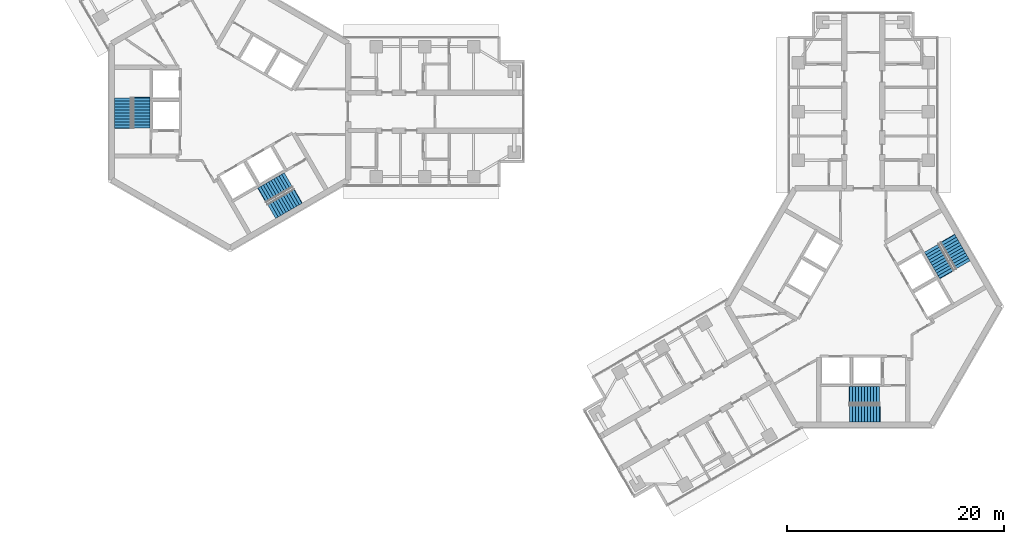
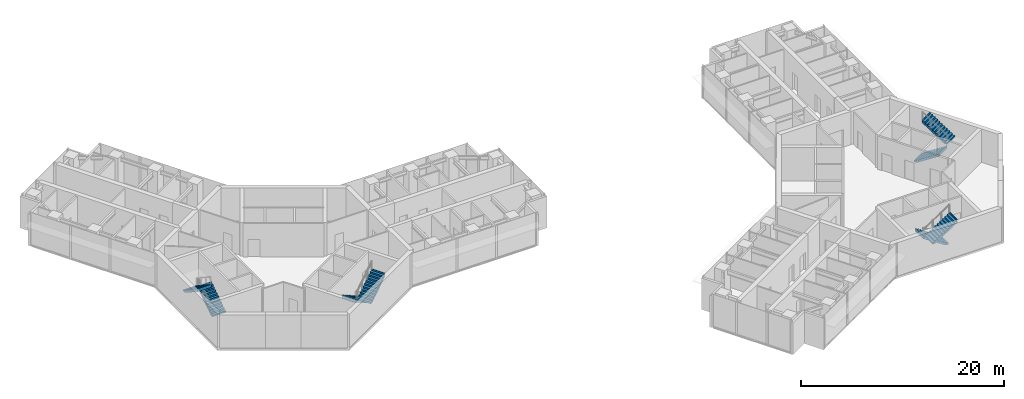
# One storey, part 16 of 17: 8 stair flights, 4 elements without a shape of their own.
"""IFC4 building model written with IfcOpenShell, lengths in metres."""

from ifc_helpers import new_model, si_unit, direction, frame, origin, place, context, subcontext, project, spatial, polyline, outline, extrude, material, type_object, element, aggregate, save


model = new_model("IFC4")

# Units and contexts
model_context = context("Model", 3, precision=1e-05, world=origin(), true_north=direction((0.0, 1.0)))
body_context = subcontext(model_context, "Body", "Model", "MODEL_VIEW")
ifc_project = project(units=[si_unit("LENGTHUNIT", "METRE"), si_unit("AREAUNIT", "SQUARE_METRE"), si_unit("VOLUMEUNIT", "CUBIC_METRE"), si_unit("PLANEANGLEUNIT", "RADIAN"), si_unit("MASSUNIT", "GRAM", prefix="KILO")], contexts=[model_context])

# Site, building, storey
site_placement = place(None, origin())
site = spatial("IfcSite", under=ifc_project, at=site_placement, CompositionType="ELEMENT")
building_placement = place(site_placement, origin())
building = spatial("IfcBuilding", under=site, at=building_placement, Name="Upepo Twin Towers", CompositionType="ELEMENT")
storey_placement = place(building_placement, frame((0.0, 0.0, 206.5)))
storey = spatial("IfcBuildingStorey", under=building, at=storey_placement, Name="L50", CompositionType="ELEMENT", Elevation=206.5)

# Stair, stair flights
ifc_material_1 = material(Name="Concrete C40/50", Category="concrete")
stair_type = type_object("IfcStairType", Name="Core stair, two flights", PredefinedType="HALF_TURN_STAIR", material=ifc_material_1)
stair_1_placement = place(storey_placement, origin())
stair_1 = element("IfcStair", 1, at=stair_1_placement, inside=storey, type_object=stair_type, Name="T1 stair S1 L50", PredefinedType="HALF_TURN_STAIR")
ifc_material_2 = material(Name="Concrete C40/50", Category="concrete")
stair_flight_type = type_object("IfcStairFlightType", Name="Stair flight 1550 RC", PredefinedType="STRAIGHT", material=ifc_material_2)
stair_flight_1_placement = place(storey_placement, frame((-8.175048828125, -1.52001953125, 0.0), z_axis=(0.0, 0.0, 1.0), x_axis=(0.0, 1.0, 0.0)))
stair_flight_1 = element("IfcStairFlight", 2, at=stair_flight_1_placement, type_object=stair_flight_type, Name="Stair S1 flight 1", NumberOfRisers=11, NumberOfTreads=10, PredefinedType="STRAIGHT", RiserHeight=0.181818182, TreadLength=0.28, context=body_context, shape_type="SweptSolid", body=[
    extrude(outline(polyline([(0.0, 0.0), (0.0, 0.181884765625), (0.280029296875, 0.181884765625), (0.280029296875, 0.363525390625), (0.56005859375, 0.363525390625), (0.56005859375, 0.54541015625), (0.840087890625, 0.54541015625), (0.840087890625, 0.727294921875), (1.1201171875, 0.727294921875), (1.1201171875, 0.9091796875), (1.39990234375, 0.9091796875), (1.39990234375, 1.0908203125), (1.679931640625, 1.0908203125), (1.679931640625, 1.272705078125), (1.9599609375, 1.272705078125), (1.9599609375, 1.45458984375), (2.239990234375, 1.45458984375), (2.239990234375, 1.636474609375), (2.52001953125, 1.636474609375), (2.52001953125, 1.818115234375), (2.800048828125, 1.818115234375), (2.800048828125, 2.0), (2.85009765625, 2.0), (2.85009765625, 1.639404296875), (0.3251953125, 0.0), (0.0, 0.0)])), frame((0.0, 0.77490234375, 0.0), z_axis=(0.0, -1.0, 0.0), x_axis=(1.0, 0.0, 0.0)), (0.0, 0.0, 1.0), 1.550048828125),
])
stair_flight_2_placement = place(storey_placement, frame((-9.88330078125, 1.280029296875, 2.0), z_axis=(0.0, 0.0, 1.0), x_axis=(0.0, -1.0, 0.0)))
stair_flight_2 = element("IfcStairFlight", 3, at=stair_flight_2_placement, type_object=stair_flight_type, Name="Stair S1 flight 2", NumberOfRisers=11, NumberOfTreads=10, PredefinedType="STRAIGHT", RiserHeight=0.181818182, TreadLength=0.28, context=body_context, shape_type="SweptSolid", body=[
    extrude(outline(polyline([(0.0, 0.0), (0.0, 0.181884765625), (0.280029296875, 0.181884765625), (0.280029296875, 0.363525390625), (0.56005859375, 0.363525390625), (0.56005859375, 0.54541015625), (0.840087890625, 0.54541015625), (0.840087890625, 0.727294921875), (1.1201171875, 0.727294921875), (1.1201171875, 0.9091796875), (1.39990234375, 0.9091796875), (1.39990234375, 1.0908203125), (1.679931640625, 1.0908203125), (1.679931640625, 1.272705078125), (1.9599609375, 1.272705078125), (1.9599609375, 1.45458984375), (2.239990234375, 1.45458984375), (2.239990234375, 1.636474609375), (2.52001953125, 1.636474609375), (2.52001953125, 1.818115234375), (2.800048828125, 1.818115234375), (2.800048828125, 2.0), (2.85009765625, 2.0), (2.85009765625, 1.639404296875), (0.3251953125, 0.0), (0.0, 0.0)])), frame((0.0, 0.77490234375, 0.0), z_axis=(0.0, -1.0, 0.0), x_axis=(1.0, 0.0, 0.0)), (0.0, 0.0, 1.0), 1.550048828125),
])
aggregate(stair_1, [stair_flight_1, stair_flight_2])

stair_2_placement = place(storey_placement, origin())
stair_2 = element("IfcStair", 4, at=stair_2_placement, inside=storey, type_object=stair_type, Name="T1 stair S2 L50", PredefinedType="HALF_TURN_STAIR")
stair_flight_3_placement = place(storey_placement, frame((5.40380859375, -6.31982421875, 0.0), z_axis=(0.0, 0.0, 1.0), x_axis=(-0.866025403784, -0.5, 0.0)))
stair_flight_3 = element("IfcStairFlight", 5, at=stair_flight_3_placement, type_object=stair_flight_type, Name="Stair S2 flight 1", NumberOfRisers=11, NumberOfTreads=10, PredefinedType="STRAIGHT", RiserHeight=0.181818182, TreadLength=0.28, context=body_context, shape_type="SweptSolid", body=[
    extrude(outline(polyline([(0.0, 0.0), (0.0, 0.181884765625), (0.280029296875, 0.181884765625), (0.280029296875, 0.363525390625), (0.56005859375, 0.363525390625), (0.56005859375, 0.54541015625), (0.840087890625, 0.54541015625), (0.840087890625, 0.727294921875), (1.1201171875, 0.727294921875), (1.1201171875, 0.9091796875), (1.39990234375, 0.9091796875), (1.39990234375, 1.0908203125), (1.679931640625, 1.0908203125), (1.679931640625, 1.272705078125), (1.9599609375, 1.272705078125), (1.9599609375, 1.45458984375), (2.239990234375, 1.45458984375), (2.239990234375, 1.636474609375), (2.52001953125, 1.636474609375), (2.52001953125, 1.818115234375), (2.800048828125, 1.818115234375), (2.800048828125, 2.0), (2.85009765625, 2.0), (2.85009765625, 1.639404296875), (0.3251953125, 0.0), (0.0, 0.0)])), frame((0.0, 0.77490234375, 0.0), z_axis=(0.0, -1.0, 0.0), x_axis=(1.0, 0.0, 0.0)), (0.0, 0.0, 1.0), 1.550048828125),
])
stair_flight_4_placement = place(storey_placement, frame((3.833251953125, -9.19921875, 2.0), z_axis=(0.0, 0.0, 1.0), x_axis=(0.866025403784, 0.5, 0.0)))
stair_flight_4 = element("IfcStairFlight", 6, at=stair_flight_4_placement, type_object=stair_flight_type, Name="Stair S2 flight 2", NumberOfRisers=11, NumberOfTreads=10, PredefinedType="STRAIGHT", RiserHeight=0.181818182, TreadLength=0.28, context=body_context, shape_type="SweptSolid", body=[
    extrude(outline(polyline([(0.0, 0.0), (0.0, 0.181884765625), (0.280029296875, 0.181884765625), (0.280029296875, 0.363525390625), (0.56005859375, 0.363525390625), (0.56005859375, 0.54541015625), (0.840087890625, 0.54541015625), (0.840087890625, 0.727294921875), (1.1201171875, 0.727294921875), (1.1201171875, 0.9091796875), (1.39990234375, 0.9091796875), (1.39990234375, 1.0908203125), (1.679931640625, 1.0908203125), (1.679931640625, 1.272705078125), (1.9599609375, 1.272705078125), (1.9599609375, 1.45458984375), (2.239990234375, 1.45458984375), (2.239990234375, 1.636474609375), (2.52001953125, 1.636474609375), (2.52001953125, 1.818115234375), (2.800048828125, 1.818115234375), (2.800048828125, 2.0), (2.85009765625, 2.0), (2.85009765625, 1.639404296875), (0.3251953125, 0.0), (0.0, 0.0)])), frame((0.0, 0.77490234375, 0.0), z_axis=(0.0, -1.0, 0.0), x_axis=(1.0, 0.0, 0.0)), (0.0, 0.0, 1.0), 1.550048828125),
])
aggregate(stair_2, [stair_flight_3, stair_flight_4])

stair_3_placement = place(storey_placement, origin())
stair_3 = element("IfcStair", 7, at=stair_3_placement, inside=storey, type_object=stair_type, Name="T2 stair S1 L50", PredefinedType="HALF_TURN_STAIR")
stair_flight_5_placement = place(storey_placement, frame((60.02001953125, -26.175048828125, 0.0), z_axis=(0.0, 0.0, 1.0), x_axis=(-1.0, 0.0, 0.0)))
stair_flight_5 = element("IfcStairFlight", 8, at=stair_flight_5_placement, type_object=stair_flight_type, Name="Stair S1 flight 1", NumberOfRisers=11, NumberOfTreads=10, PredefinedType="STRAIGHT", RiserHeight=0.181818182, TreadLength=0.28, context=body_context, shape_type="SweptSolid", body=[
    extrude(outline(polyline([(0.0, 0.0), (0.0, 0.181884765625), (0.280029296875, 0.181884765625), (0.280029296875, 0.363525390625), (0.56005859375, 0.363525390625), (0.56005859375, 0.54541015625), (0.840087890625, 0.54541015625), (0.840087890625, 0.727294921875), (1.1201171875, 0.727294921875), (1.1201171875, 0.9091796875), (1.39990234375, 0.9091796875), (1.39990234375, 1.0908203125), (1.679931640625, 1.0908203125), (1.679931640625, 1.272705078125), (1.9599609375, 1.272705078125), (1.9599609375, 1.45458984375), (2.239990234375, 1.45458984375), (2.239990234375, 1.636474609375), (2.52001953125, 1.636474609375), (2.52001953125, 1.818115234375), (2.800048828125, 1.818115234375), (2.800048828125, 2.0), (2.85009765625, 2.0), (2.85009765625, 1.639404296875), (0.3251953125, 0.0), (0.0, 0.0)])), frame((0.0, 0.77490234375, 0.0), z_axis=(0.0, -1.0, 0.0), x_axis=(1.0, 0.0, 0.0)), (0.0, 0.0, 1.0), 1.550048828125),
])
stair_flight_6_placement = place(storey_placement, frame((57.219970703125, -27.88330078125, 2.0), z_axis=(0.0, 0.0, 1.0), x_axis=(1.0, 0.0, 0.0)))
stair_flight_6 = element("IfcStairFlight", 9, at=stair_flight_6_placement, type_object=stair_flight_type, Name="Stair S1 flight 2", NumberOfRisers=11, NumberOfTreads=10, PredefinedType="STRAIGHT", RiserHeight=0.181818182, TreadLength=0.28, context=body_context, shape_type="SweptSolid", body=[
    extrude(outline(polyline([(0.0, 0.0), (0.0, 0.181884765625), (0.280029296875, 0.181884765625), (0.280029296875, 0.363525390625), (0.56005859375, 0.363525390625), (0.56005859375, 0.54541015625), (0.840087890625, 0.54541015625), (0.840087890625, 0.727294921875), (1.1201171875, 0.727294921875), (1.1201171875, 0.9091796875), (1.39990234375, 0.9091796875), (1.39990234375, 1.0908203125), (1.679931640625, 1.0908203125), (1.679931640625, 1.272705078125), (1.9599609375, 1.272705078125), (1.9599609375, 1.45458984375), (2.239990234375, 1.45458984375), (2.239990234375, 1.636474609375), (2.52001953125, 1.636474609375), (2.52001953125, 1.818115234375), (2.800048828125, 1.818115234375), (2.800048828125, 2.0), (2.85009765625, 2.0), (2.85009765625, 1.639404296875), (0.3251953125, 0.0), (0.0, 0.0)])), frame((0.0, 0.77490234375, 0.0), z_axis=(0.0, -1.0, 0.0), x_axis=(1.0, 0.0, 0.0)), (0.0, 0.0, 1.0), 1.550048828125),
])
aggregate(stair_3, [stair_flight_5, stair_flight_6])

stair_4_placement = place(storey_placement, origin())
stair_4 = element("IfcStair", 10, at=stair_4_placement, inside=storey, type_object=stair_type, Name="T2 stair S2 L50", PredefinedType="HALF_TURN_STAIR")
stair_flight_7_placement = place(storey_placement, frame((64.81982421875, -12.59619140625, 0.0), z_axis=(0.0, 0.0, 1.0), x_axis=(0.5, -0.866025403784, 0.0)))
stair_flight_7 = element("IfcStairFlight", 11, at=stair_flight_7_placement, type_object=stair_flight_type, Name="Stair S2 flight 1", NumberOfRisers=11, NumberOfTreads=10, PredefinedType="STRAIGHT", RiserHeight=0.181818182, TreadLength=0.28, context=body_context, shape_type="SweptSolid", body=[
    extrude(outline(polyline([(0.0, 0.0), (0.0, 0.181884765625), (0.280029296875, 0.181884765625), (0.280029296875, 0.363525390625), (0.56005859375, 0.363525390625), (0.56005859375, 0.54541015625), (0.840087890625, 0.54541015625), (0.840087890625, 0.727294921875), (1.1201171875, 0.727294921875), (1.1201171875, 0.9091796875), (1.39990234375, 0.9091796875), (1.39990234375, 1.0908203125), (1.679931640625, 1.0908203125), (1.679931640625, 1.272705078125), (1.9599609375, 1.272705078125), (1.9599609375, 1.45458984375), (2.239990234375, 1.45458984375), (2.239990234375, 1.636474609375), (2.52001953125, 1.636474609375), (2.52001953125, 1.818115234375), (2.800048828125, 1.818115234375), (2.800048828125, 2.0), (2.85009765625, 2.0), (2.85009765625, 1.639404296875), (0.3251953125, 0.0), (0.0, 0.0)])), frame((0.0, 0.77490234375, 0.0), z_axis=(0.0, -1.0, 0.0), x_axis=(1.0, 0.0, 0.0)), (0.0, 0.0, 1.0), 1.550048828125),
])
stair_flight_8_placement = place(storey_placement, frame((67.69921875, -14.166748046875, 2.0), z_axis=(0.0, 0.0, 1.0), x_axis=(-0.5, 0.866025403784, 0.0)))
stair_flight_8 = element("IfcStairFlight", 12, at=stair_flight_8_placement, type_object=stair_flight_type, Name="Stair S2 flight 2", NumberOfRisers=11, NumberOfTreads=10, PredefinedType="STRAIGHT", RiserHeight=0.181818182, TreadLength=0.28, context=body_context, shape_type="SweptSolid", body=[
    extrude(outline(polyline([(0.0, 0.0), (0.0, 0.181884765625), (0.280029296875, 0.181884765625), (0.280029296875, 0.363525390625), (0.56005859375, 0.363525390625), (0.56005859375, 0.54541015625), (0.840087890625, 0.54541015625), (0.840087890625, 0.727294921875), (1.1201171875, 0.727294921875), (1.1201171875, 0.9091796875), (1.39990234375, 0.9091796875), (1.39990234375, 1.0908203125), (1.679931640625, 1.0908203125), (1.679931640625, 1.272705078125), (1.9599609375, 1.272705078125), (1.9599609375, 1.45458984375), (2.239990234375, 1.45458984375), (2.239990234375, 1.636474609375), (2.52001953125, 1.636474609375), (2.52001953125, 1.818115234375), (2.800048828125, 1.818115234375), (2.800048828125, 2.0), (2.85009765625, 2.0), (2.85009765625, 1.639404296875), (0.3251953125, 0.0), (0.0, 0.0)])), frame((0.0, 0.77490234375, 0.0), z_axis=(0.0, -1.0, 0.0), x_axis=(1.0, 0.0, 0.0)), (0.0, 0.0, 1.0), 1.550048828125),
])
aggregate(stair_4, [stair_flight_7, stair_flight_8])

save(model, "model.ifc")
